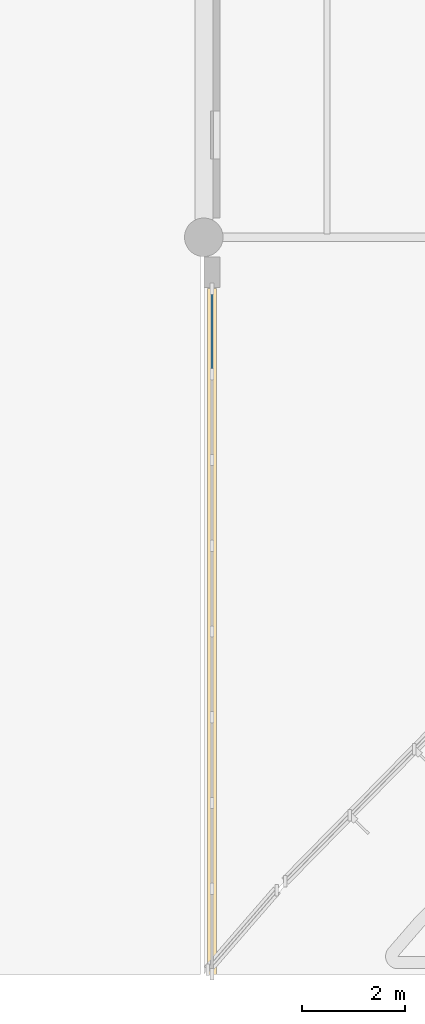
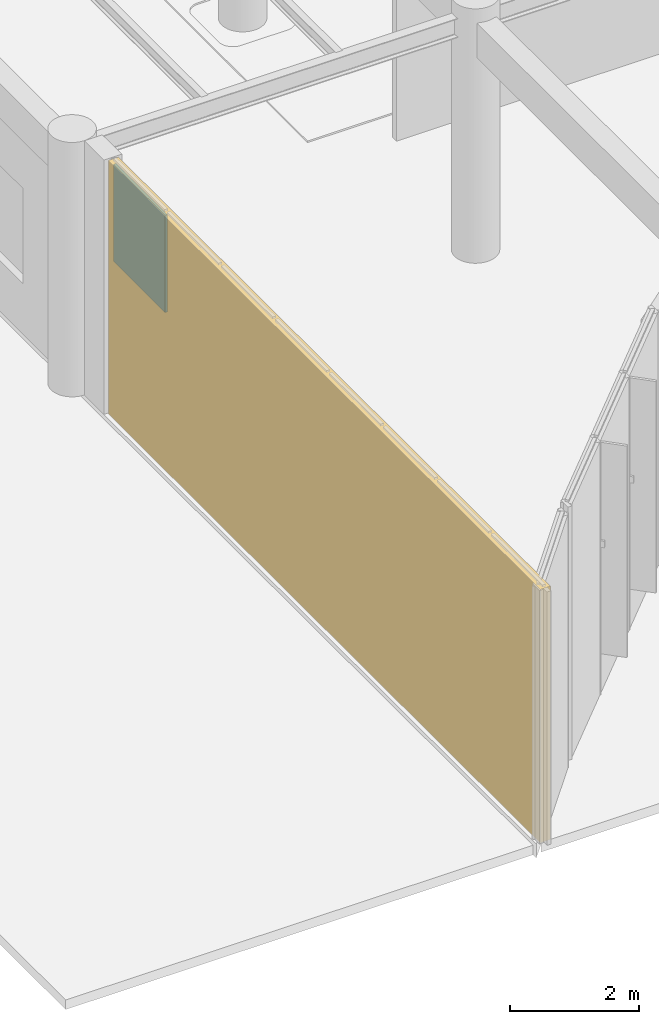
# One storey, part 56 of 122: 1 plate, plus 1 element that does not belong to this part.
"""IFC4 building model written with IfcOpenShell, lengths in metres."""

import ifcopenshell
import ifcopenshell.guid

model = None  # the IFC model being written
_history = None  # IfcOwnerHistory: only IFC2X3 demands one
_inside = {}  # id of a spatial element -> (the spatial element, [elements in it])
_under = {}  # id of a project, library or spatial element -> (it, [spatial elements below it])
_declared = {}  # id of a project -> (the project, [libraries it declares])
_typed = {}  # id of a type object -> (the type object, [elements of that type])
_made_of = {}  # id of a material, layer set ... -> (it, [elements and type objects made of it])


def new_model(schema):
    """Start an empty IFC model of exactly this schema.

    Asked for "IFC4X3", IfcOpenShell would pick the latest addendum, in which some entities
    have other attributes; the version numbers below select the first issue.
    IFC2X3 requires an IfcOwnerHistory on every rooted entity: one is made here for all.
    """
    global model, _history
    if schema == "IFC4X3":
        model = ifcopenshell.file(schema_version=(4, 3, 0, 0))
    else:
        model = ifcopenshell.file(schema=schema)
    _inside.clear()
    _under.clear()
    _declared.clear()
    _typed.clear()
    _made_of.clear()
    _history = None
    if model.schema == "IFC2X3":
        org = make("IfcOrganization", Name="unknown")
        user = make(
            "IfcPersonAndOrganization",
            ThePerson=make("IfcPerson", FamilyName="unknown"),
            TheOrganization=org,
        )
        app = make(
            "IfcApplication",
            ApplicationDeveloper=org,
            Version="unknown",
            ApplicationFullName="unknown",
            ApplicationIdentifier="unknown",
        )
        _history = make(
            "IfcOwnerHistory",
            OwningUser=user,
            OwningApplication=app,
            ChangeAction="ADDED",
            CreationDate=0,
        )
    return model


def make(cls, **values):
    """One entity of the class cls with the attributes given. An attribute that is None is left unset."""
    return model.create_entity(
        cls, **{name: value for name, value in values.items() if value is not None}
    )


def rooted(cls, **values):
    """An entity with a GlobalId (a new one), such as an element, a storey or a relation."""
    return make(cls, GlobalId=ifcopenshell.guid.new(), OwnerHistory=_history, **values)


def si_unit(unit_type, name, prefix=None):
    """IfcSIUnit, for example si_unit("LENGTHUNIT", "METRE", prefix="MILLI")."""
    return make("IfcSIUnit", UnitType=unit_type, Prefix=prefix, Name=name)


def assignment(units):
    """IfcUnitAssignment: the units of a project."""
    return None if units is None else make("IfcUnitAssignment", Units=units)


def point(xyz):
    """IfcCartesianPoint."""
    return None if xyz is None else make("IfcCartesianPoint", Coordinates=xyz)


def direction(xyz):
    """IfcDirection."""
    return None if xyz is None else make("IfcDirection", DirectionRatios=xyz)


def frame(location, z_axis=None, x_axis=None):
    """IfcAxis2Placement3D, a coordinate frame: its origin and axes. An axis left out is left unset."""
    return make(
        "IfcAxis2Placement3D",
        Location=point(location),
        Axis=direction(z_axis),
        RefDirection=direction(x_axis),
    )


def frame_2d(location, x_axis=None):
    """IfcAxis2Placement2D, a coordinate frame in the plane: its origin and x axis."""
    return make(
        "IfcAxis2Placement2D", Location=point(location), RefDirection=direction(x_axis)
    )


def origin():
    """The frame at (0, 0, 0) with its axes left unset."""
    return frame((0.0, 0.0, 0.0))


def origin_2d():
    """The frame at (0, 0) in the plane with its x axis left unset."""
    return frame_2d((0.0, 0.0))


def place(relative_to, where):
    """IfcLocalPlacement: puts the frame where relative to a parent placement (None: the world)."""
    return make(
        "IfcLocalPlacement", PlacementRelTo=relative_to, RelativePlacement=where
    )


def context(
    kind, dimensions, precision=None, world=None, true_north=None, identifier=None
):
    """IfcGeometricRepresentationContext, for example the 3D "Model" context."""
    return make(
        "IfcGeometricRepresentationContext",
        ContextIdentifier=identifier,
        ContextType=kind,
        CoordinateSpaceDimension=dimensions,
        Precision=precision,
        WorldCoordinateSystem=world,
        TrueNorth=true_north,
    )


def subcontext(parent, identifier, kind, view, scale=None):
    """IfcGeometricRepresentationSubContext, for example "Body" below "Model"."""
    return make(
        "IfcGeometricRepresentationSubContext",
        ContextIdentifier=identifier,
        ContextType=kind,
        ParentContext=parent,
        TargetScale=scale,
        TargetView=view,
    )


def project(units=None, contexts=None):
    """IfcProject with its units and contexts."""
    return rooted(
        "IfcProject",
        Name="project",
        RepresentationContexts=contexts,
        UnitsInContext=assignment(units),
    )


def spatial(cls, under=None, at=None, **own):
    """A site, building, storey or space (cls), placed at a placement, below another one or the project."""
    s = rooted(cls, ObjectPlacement=at, **own)
    if under is not None:
        _under.setdefault(under.id(), (under, []))[1].append(s)
    return s


def profile(cls, at=None, kind="AREA", **sizes):
    """A parametric profile (cls). Its sizes go by their IFC names, for example OverallWidth=200.0."""
    return make(cls, ProfileType=kind, Position=at, **sizes)


def rectangle(**sizes):
    """IfcRectangleProfileDef."""
    return profile("IfcRectangleProfileDef", **sizes)


def extrude(swept, where, along, depth):
    """IfcExtrudedAreaSolid: the profile swept, set in the frame where, extruded along a direction by depth."""
    return make(
        "IfcExtrudedAreaSolid",
        SweptArea=swept,
        Position=where,
        ExtrudedDirection=direction(along),
        Depth=depth,
    )


def shape(context_of_items, identifier, shape_type, items):
    """IfcShapeRepresentation: the items that make up one representation, for example the "Body"."""
    return make(
        "IfcShapeRepresentation",
        ContextOfItems=context_of_items,
        RepresentationIdentifier=identifier,
        RepresentationType=shape_type,
        Items=items,
    )


def material(Name=None, Category=None):
    """IfcMaterial."""
    return make("IfcMaterial", Name=Name, Category=Category)


def layer(
    of_material, thickness, ventilated=None, Name=None, Category=None, Priority=None
):
    """IfcMaterialLayer: one layer of a wall or slab, of a material (None: an air gap)."""
    return make(
        "IfcMaterialLayer",
        Material=of_material,
        LayerThickness=thickness,
        IsVentilated=ventilated,
        Name=Name,
        Category=Category,
        Priority=Priority,
    )


def layer_set(layers, Name=None):
    """IfcMaterialLayerSet."""
    return make("IfcMaterialLayerSet", MaterialLayers=layers, LayerSetName=Name)


def made_of(thing, what):
    """Note that an element or type object is made of a material, layer set ...; save() writes the relation."""
    if what is not None:
        _made_of.setdefault(what.id(), (what, []))[1].append(thing)
    return thing


def type_object(cls, material=None, **own):
    """A type object (cls), such as IfcWallType, which elements share."""
    return made_of(rooted(cls, **own), material)


def element(
    cls,
    number,
    at=None,
    inside=None,
    cuts=None,
    type_object=None,
    material=None,
    context=None,
    identifier="Body",
    shape_type=None,
    held_by="IfcProductDefinitionShape",
    body=None,
    shapes=None,
    **own,
):
    """One element of the class cls, such as IfcWall. Its Tag is "e" and its number.

    at: its placement. inside: the storey or other place that contains it. cuts: it is an
    opening in that element (IfcRelVoidsElement). A single representation is given by context,
    identifier, shape_type and body (its items); several are given by shapes. held_by: the class
    of the entity that holds the representations. save() writes the other relations.
    """
    e = rooted(cls, Tag="e%d" % number, ObjectPlacement=at, **own)
    if body is not None:
        shapes = [shape(context, identifier, shape_type, body)]
    if shapes is not None:
        e.Representation = make(held_by, Representations=shapes)
    if inside is not None:
        _inside.setdefault(inside.id(), (inside, []))[1].append(e)
    if cuts is not None:
        rooted(
            "IfcRelVoidsElement", RelatingBuildingElement=cuts, RelatedOpeningElement=e
        )
    if type_object is not None:
        _typed.setdefault(type_object.id(), (type_object, []))[1].append(e)
    return made_of(e, material)


def aggregate(whole, parts):
    """IfcRelAggregates: a whole, such as a stair, and the parts it consists of."""
    return rooted("IfcRelAggregates", RelatingObject=whole, RelatedObjects=parts)


def save(model, path):
    """Write the relations noted so far, then the file.

    IfcRelAggregates (storeys below a building ...), IfcRelContainedInSpatialStructure (elements
    in a storey), IfcRelDefinesByType, IfcRelAssociatesMaterial and IfcRelDeclares: one each for
    every whole, place, type object, material and project.
    """
    for whole, parts in _under.values():
        aggregate(whole, parts)
    for where, things in _inside.values():
        rooted(
            "IfcRelContainedInSpatialStructure",
            RelatedElements=things,
            RelatingStructure=where,
        )
    for kind, things in _typed.values():
        rooted("IfcRelDefinesByType", RelatedObjects=things, RelatingType=kind)
    for what, things in _made_of.values():
        rooted("IfcRelAssociatesMaterial", RelatedObjects=things, RelatingMaterial=what)
    for by, libraries in _declared.values():
        rooted("IfcRelDeclares", RelatingContext=by, RelatedDefinitions=libraries)
    model.write(path)


model = new_model("IFC4")

# Units and contexts
model_context = context("Model", 3, precision=1e-05, world=origin(), true_north=direction((0.0, 1.0)))
body_context = subcontext(model_context, "Body", "Model", "MODEL_VIEW")
ifc_project = project(units=[si_unit("LENGTHUNIT", "METRE"), si_unit("AREAUNIT", "SQUARE_METRE"), si_unit("VOLUMEUNIT", "CUBIC_METRE"), si_unit("PLANEANGLEUNIT", "RADIAN"), si_unit("MASSUNIT", "GRAM", prefix="KILO")], contexts=[model_context])

# Plate
ifc_material_1 = material(Name="Double Low-E Acoustic Laminated Glass", Category="glass")
ifc_layer = layer(ifc_material_1, 0.0439453125, Name="Double Low-E Acoustic Laminated Glass")
ifc_layer_set = layer_set([ifc_layer], Name="Double Low-E Acoustic Laminated Glass")
plate_type = type_object("IfcPlateType", Name="Acoustic Laminated Low-E Glazing Unit 44", PredefinedType="CURTAIN_PANEL", material=ifc_layer_set)
site_placement = place(None, origin())
building_placement = place(site_placement, origin())
storey_placement = place(building_placement, origin())
plate_placement = place(storey_placement, frame((36.159912109375, 13.965576171875, 2.87548828125), z_axis=(0.0, 0.0, 1.0), x_axis=(0.0, 1.0, 0.0)))
plate = element("IfcPlate", 1, at=plate_placement, type_object=plate_type, Name="Curtain Panel CWP-01 CW-V5-RET-W-L00-P08.3", PredefinedType="CURTAIN_PANEL", context=body_context, shape_type="SweptSolid", body=[
    extrude(rectangle(XDim=1.5986328125, YDim=0.0439453125, at=origin_2d()), origin(), (0.0, 0.0, 1.0), 1.83447265625),
])

# Site, building, storey
site = spatial("IfcSite", under=ifc_project, at=site_placement, CompositionType="ELEMENT")
building = spatial("IfcBuilding", under=site, at=building_placement, Name="Tazoul Stagehouse", CompositionType="ELEMENT")
storey = spatial("IfcBuildingStorey", under=building, at=storey_placement, Name="L00", CompositionType="ELEMENT", Elevation=0.0)

# Curtain wall
ifc_material_2 = material(Name="Anodised Bronze Aluminium 6063-T6", Category="aluminium")
curtain_wall_type = type_object("IfcCurtainWallType", Name="Crescent Double-Skin Acoustic Curtain Wall", PredefinedType="NOTDEFINED", material=ifc_material_2)
curtain_wall_placement = place(storey_placement, frame((36.159912109375, 1.449951171875, 0.0), z_axis=(0.0, 0.0, 1.0), x_axis=(0.0, 1.0, 0.0)))
curtain_wall = element("IfcCurtainWall", 2, at=curtain_wall_placement, inside=storey, type_object=curtain_wall_type, Name="L00 Curtain Wall CW-01 (CW-V5-RET-W-L00)", PredefinedType="NOTDEFINED", context=body_context, shape_type="SweptSolid", body=[
    extrude(rectangle(XDim=13.35009765625, YDim=0.179931640625, at=frame_2d((6.675048828125, 0.0))), origin(), (0.0, 0.0, 1.0), 4.780029296875),
])

aggregate(curtain_wall, [plate])

save(model, "model.ifc")
